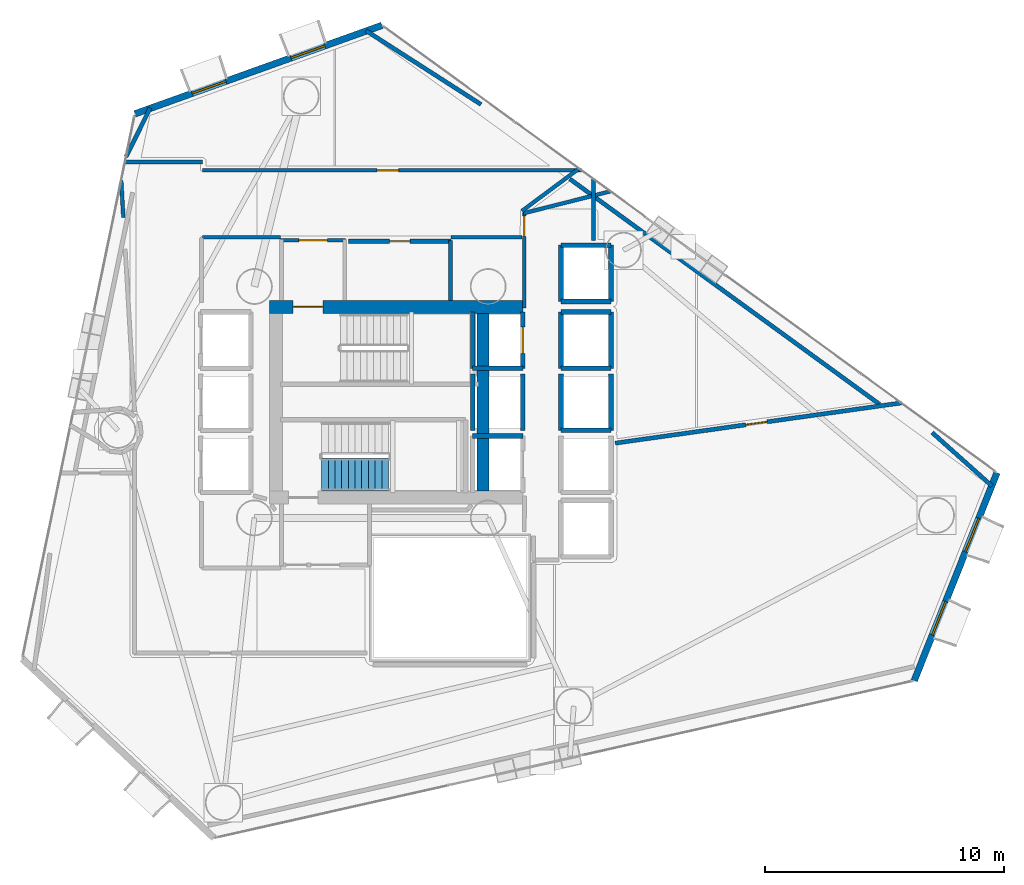
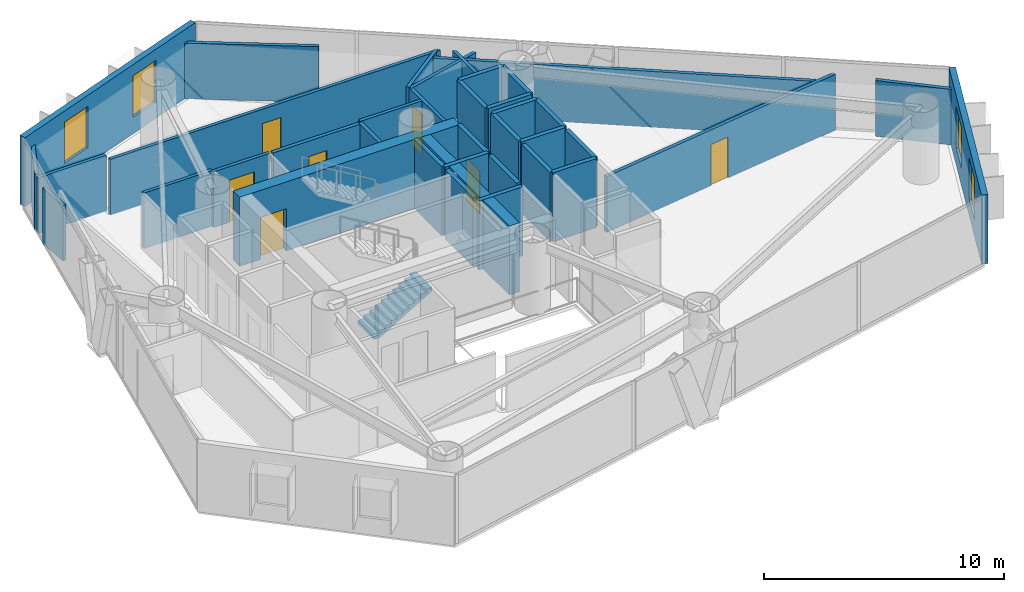
# One storey, part 14 of 18: 38 walls, 7 doors, 4 windows, 1 stair flight, 11 openings, 1 element without a shape of its own.
"""IFC4 building model written with IfcOpenShell, lengths in metres."""

from ifc_helpers import new_model, si_unit, direction, frame, frame_2d, origin, place, context, subcontext, project, spatial, polyline, rectangle, outline, extrude, material, layer, layer_set, type_object, element, fill, aggregate, save


model = new_model("IFC4")

# Units and contexts
model_context = context("Model", 3, precision=1e-05, world=origin(), true_north=direction((0.0, 1.0)))
body_context = subcontext(model_context, "Body", "Model", "MODEL_VIEW")
ifc_project = project(units=[si_unit("LENGTHUNIT", "METRE"), si_unit("AREAUNIT", "SQUARE_METRE"), si_unit("VOLUMEUNIT", "CUBIC_METRE"), si_unit("PLANEANGLEUNIT", "RADIAN"), si_unit("MASSUNIT", "GRAM", prefix="KILO")], contexts=[model_context])

# Site, building, storey
site_placement = place(None, origin())
site = spatial("IfcSite", under=ifc_project, at=site_placement, CompositionType="ELEMENT")
building_placement = place(site_placement, origin())
building = spatial("IfcBuilding", under=site, at=building_placement, Name="Qianvela Tower", CompositionType="ELEMENT")
storey_placement = place(building_placement, frame((0.0, 0.0, 97.800048828125)))
storey = spatial("IfcBuildingStorey", under=building, at=storey_placement, Name="L24", CompositionType="ELEMENT", Elevation=97.800048828125)

# Wall, openings, windows
ifc_material_1 = material(Name="Terracotta Cladding on Concrete C40", Category="masonry")
ifc_layer_1 = layer(ifc_material_1, 0.280029296875)
ifc_layer_set_1 = layer_set([ifc_layer_1], Name="Terracotta Cladding on Concrete C40")
wall_type_1 = type_object("IfcWallType", Name="TERRACOTTA-WALL-280", PredefinedType="SOLIDWALL", material=ifc_layer_set_1)
wall_1_placement = place(storey_placement, frame((56.25927734375, 17.02734375, 0.0), z_axis=(0.0, 0.0, 1.0), x_axis=(0.369797409366, 0.929112413019, 0.0)))
wall_1 = element("IfcWall", 1, at=wall_1_placement, inside=storey, type_object=wall_type_1, Name="L24 Terracotta Chamfer Facet Wall 1", PredefinedType="SOLIDWALL", context=body_context, shape_type="SweptSolid", body=[
    extrude(rectangle(XDim=9.382080078125, YDim=0.280029296875, at=frame_2d((4.69091796875, 0.0))), origin(), (0.0, 0.0, 1.0), 3.52001953125),
])
opening_1_placement = place(wall_1_placement, frame((2.064697265625, 0.0, 0.85009765625)))
opening_1 = element("IfcOpeningElement", 2, at=opening_1_placement, cuts=wall_1, Name="Opening W-02", PredefinedType="OPENING", context=body_context, shape_type="SweptSolid", body=[
    extrude(rectangle(XDim=1.5, YDim=2.10009765625, at=frame_2d((0.75, 1.050048828125))), frame((0.0, 0.14990234375, 0.0), z_axis=(0.0, -1.0, 0.0), x_axis=(1.0, 0.0, 0.0)), (0.0, 0.0, 1.0), 0.300048828125),
])
opening_2_placement = place(wall_1_placement, frame((5.8173828125, 0.0, 0.85009765625)))
opening_2 = element("IfcOpeningElement", 3, at=opening_2_placement, cuts=wall_1, Name="Opening W-02", PredefinedType="OPENING", context=body_context, shape_type="SweptSolid", body=[
    extrude(rectangle(XDim=1.5, YDim=2.10009765625, at=frame_2d((0.75, 1.050048828125))), frame((0.0, 0.14990234375, 0.0), z_axis=(0.0, -1.0, 0.0), x_axis=(1.0, 0.0, 0.0)), (0.0, 0.0, 1.0), 0.300048828125),
])
ifc_material_2 = material(Name="Thermally Broken Aluminium and Low-E Glass", Category="aluminium")
window_type = type_object("IfcWindowType", Name="WIN-TC-1500x2100", PartitioningType="DOUBLE_PANEL_VERTICAL", PredefinedType="WINDOW", material=ifc_material_2)
window_1_placement = place(opening_1_placement, origin())
window_1 = element("IfcWindow", 4, at=window_1_placement, inside=storey, type_object=window_type, Name="L24 Chamfer Facet Window 1.1", OverallHeight=2.10009765625, OverallWidth=1.5, PartitioningType="SINGLE_PANEL", PredefinedType="WINDOW", context=body_context, shape_type="SweptSolid", body=[
    extrude(rectangle(XDim=1.5, YDim=2.10009765625, at=frame_2d((0.75, 1.050048828125))), frame((0.0, 0.030029296875, 0.0), z_axis=(0.0, -1.0, 0.0), x_axis=(1.0, 0.0, 0.0)), (0.0, 0.0, 1.0), 0.06005859375),
])
fill(opening_1, window_1)
window_2_placement = place(opening_2_placement, origin())
window_2 = element("IfcWindow", 5, at=window_2_placement, inside=storey, type_object=window_type, Name="L24 Chamfer Facet Window 1.2", OverallHeight=2.10009765625, OverallWidth=1.5, PartitioningType="SINGLE_PANEL", PredefinedType="WINDOW", context=body_context, shape_type="SweptSolid", body=[
    extrude(rectangle(XDim=1.5, YDim=2.10009765625, at=frame_2d((0.75, 1.050048828125))), frame((0.0, 0.030029296875, 0.0), z_axis=(0.0, -1.0, 0.0), x_axis=(1.0, 0.0, 0.0)), (0.0, 0.0, 1.0), 0.06005859375),
])
fill(opening_2, window_2)

wall_2_placement = place(storey_placement, frame((33.948974609375, 44.497314453125, 0.0), z_axis=(0.0, 0.0, 1.0), x_axis=(-0.941433163769, -0.337199641394, 0.0)))
wall_2 = element("IfcWall", 6, at=wall_2_placement, inside=storey, type_object=wall_type_1, Name="L24 Terracotta Chamfer Facet Wall 3", PredefinedType="SOLIDWALL", context=body_context, shape_type="SweptSolid", body=[
    extrude(rectangle(XDim=10.99853515625, YDim=0.280029296875, at=frame_2d((5.499267578125, 0.0))), origin(), (0.0, 0.0, 1.0), 3.52001953125),
])
opening_3_placement = place(wall_2_placement, frame((2.549560546875, 0.0, 0.85009765625)))
opening_3 = element("IfcOpeningElement", 7, at=opening_3_placement, cuts=wall_2, Name="Opening W-02", PredefinedType="OPENING", context=body_context, shape_type="SweptSolid", body=[
    extrude(rectangle(XDim=1.5, YDim=2.10009765625, at=frame_2d((0.75, 1.050048828125))), frame((0.0, 0.14990234375, 0.0), z_axis=(0.0, -1.0, 0.0), x_axis=(1.0, 0.0, 0.0)), (0.0, 0.0, 1.0), 0.300048828125),
])
opening_4_placement = place(wall_2_placement, frame((6.94921875, 0.0, 0.85009765625)))
opening_4 = element("IfcOpeningElement", 8, at=opening_4_placement, cuts=wall_2, Name="Opening W-02", PredefinedType="OPENING", context=body_context, shape_type="SweptSolid", body=[
    extrude(rectangle(XDim=1.5, YDim=2.10009765625, at=frame_2d((0.75, 1.050048828125))), frame((0.0, 0.14990234375, 0.0), z_axis=(0.0, -1.0, 0.0), x_axis=(1.0, 0.0, 0.0)), (0.0, 0.0, 1.0), 0.300048828125),
])
window_3_placement = place(opening_3_placement, origin())
window_3 = element("IfcWindow", 9, at=window_3_placement, inside=storey, type_object=window_type, Name="L24 Chamfer Facet Window 3.1", OverallHeight=2.10009765625, OverallWidth=1.5, PartitioningType="SINGLE_PANEL", PredefinedType="WINDOW", context=body_context, shape_type="SweptSolid", body=[
    extrude(rectangle(XDim=1.5, YDim=2.10009765625, at=frame_2d((0.75, 1.050048828125))), frame((0.0, 0.030029296875, 0.0), z_axis=(0.0, -1.0, 0.0), x_axis=(1.0, 0.0, 0.0)), (0.0, 0.0, 1.0), 0.06005859375),
])
fill(opening_3, window_3)
window_4_placement = place(opening_4_placement, origin())
window_4 = element("IfcWindow", 10, at=window_4_placement, inside=storey, type_object=window_type, Name="L24 Chamfer Facet Window 3.2", OverallHeight=2.10009765625, OverallWidth=1.5, PartitioningType="SINGLE_PANEL", PredefinedType="WINDOW", context=body_context, shape_type="SweptSolid", body=[
    extrude(rectangle(XDim=1.5, YDim=2.10009765625, at=frame_2d((0.75, 1.050048828125))), frame((0.0, 0.030029296875, 0.0), z_axis=(0.0, -1.0, 0.0), x_axis=(1.0, 0.0, 0.0)), (0.0, 0.0, 1.0), 0.06005859375),
])
fill(opening_4, window_4)

# Wall, opening, door
ifc_material_3 = material(Name="Concrete C60", Category="concrete")
ifc_layer_2 = layer(ifc_material_3, 0.550048828125)
ifc_layer_set_2 = layer_set([ifc_layer_2], Name="Concrete C60")
wall_type_2 = type_object("IfcWallType", Name="WT-CORE-550", PredefinedType="SHEAR", material=ifc_layer_set_2)
wall_3_placement = place(storey_placement, frame((29.22998046875, 32.695068359375, 0.0), z_axis=(0.0, 0.0, 1.0), x_axis=(1.0, 0.0, 0.0)))
wall_3 = element("IfcWall", 11, at=wall_3_placement, inside=storey, type_object=wall_type_2, Name="L24 North Core Shear Wall", PredefinedType="SHEAR", context=body_context, shape_type="SweptSolid", body=[
    extrude(rectangle(XDim=10.6201171875, YDim=0.550048828125, at=frame_2d((5.31005859375, 0.0))), origin(), (0.0, 0.0, 1.0), 3.52001953125),
])
opening_5_placement = place(wall_3_placement, frame((0.9951171875, 0.0, 0.0)))
opening_5 = element("IfcOpeningElement", 12, at=opening_5_placement, cuts=wall_3, Name="Opening D-ST1", PredefinedType="OPENING", context=body_context, shape_type="SweptSolid", body=[
    extrude(rectangle(XDim=1.25, YDim=2.14990234375, at=frame_2d((0.625, 1.074951171875))), frame((0.0, 0.284912109375, 0.0), z_axis=(0.0, -1.0, 0.0), x_axis=(1.0, 0.0, 0.0)), (0.0, 0.0, 1.0), 0.570068359375),
])
ifc_material_4 = material(Name="Galvanised Fire Steel Q355B", Category="steel")
door_type_1 = type_object("IfcDoorType", Name="DT-STAIR-FD90", OperationType="NOTDEFINED", PredefinedType="DOOR", material=ifc_material_4)
door_1_placement = place(opening_5_placement, origin())
door_1 = element("IfcDoor", 13, at=door_1_placement, inside=storey, type_object=door_type_1, Name="L24 Stair ST-1 Exit Door", OperationType="SINGLE_SWING_RIGHT", OverallHeight=2.14990234375, OverallWidth=1.25, PredefinedType="DOOR", context=body_context, shape_type="SweptSolid", body=[
    extrude(rectangle(XDim=1.25, YDim=2.14990234375, at=frame_2d((0.625, 1.074951171875))), frame((0.0, 0.02490234375, 0.0), z_axis=(0.0, -1.0, 0.0), x_axis=(1.0, 0.0, 0.0)), (0.0, 0.0, 1.0), 0.050048828125),
])
fill(opening_5, door_1)

# Wall
wall_4_placement = place(storey_placement, frame((38.179931640625, 24.97998046875, 0.0), z_axis=(0.0, 0.0, 1.0), x_axis=(0.0, 1.0, 0.0)))
element("IfcWall", 14, at=wall_4_placement, inside=storey, type_object=wall_type_2, Name="L24 East Spine Core Shear Wall", PredefinedType="SHEAR", context=body_context, shape_type="SweptSolid", body=[
    extrude(rectangle(XDim=7.43994140625, YDim=0.5, at=frame_2d((3.719970703125, 0.0))), origin(), (0.0, 0.0, 1.0), 3.52001953125),
])

# Wall, opening, door
ifc_material_5 = material(Name="Fire-Rated Gypsum and Concrete Block", Category="concrete")
ifc_layer_3 = layer(ifc_material_5, 0.159912109375)
ifc_layer_set_3 = layer_set([ifc_layer_3], Name="Fire-Rated Gypsum and Concrete Block")
wall_type_3 = type_object("IfcWallType", Name="WT-CORR-160", PredefinedType="PARTITIONING", material=ifc_layer_set_3)
wall_5_placement = place(storey_placement, frame((29.699951171875, 35.489013671875, 0.0), z_axis=(0.0, 0.0, 1.0), x_axis=(1.0, 0.0, 0.0)))
wall_5 = element("IfcWall", 15, at=wall_5_placement, inside=storey, type_object=wall_type_3, Name="L24 Partition 3", PredefinedType="PARTITIONING", context=body_context, shape_type="SweptSolid", body=[
    extrude(rectangle(XDim=2.719970703125, YDim=0.159912109375, at=frame_2d((1.35986328125, 0.0))), origin(), (0.0, 0.0, 1.0), 2.83984375),
])
opening_6_placement = place(wall_5_placement, frame((0.760009765625, 0.0, 0.0)))
opening_6 = element("IfcOpeningElement", 16, at=opening_6_placement, cuts=wall_5, Name="Opening D-LB1", PredefinedType="OPENING", context=body_context, shape_type="SweptSolid", body=[
    extrude(rectangle(XDim=1.199951171875, YDim=2.14990234375, at=frame_2d((0.60009765625, 1.074951171875))), frame((0.0, 0.08984375, 0.0), z_axis=(0.0, -1.0, 0.0), x_axis=(1.0, 0.0, 0.0)), (0.0, 0.0, 1.0), 0.179931640625),
])
ifc_material_6 = material(Name="Glazed Fire-Rated Steel Frame", Category="steel")
door_type_2 = type_object("IfcDoorType", Name="DT-LOBBY-FD90", OperationType="NOTDEFINED", PredefinedType="DOOR", material=ifc_material_6)
door_2_placement = place(opening_6_placement, origin())
door_2 = element("IfcDoor", 17, at=door_2_placement, inside=storey, type_object=door_type_2, Name="L24 Door L24 Firefighting Lobby North to L24 Floor Corridor", OperationType="SINGLE_SWING_RIGHT", OverallHeight=2.14990234375, OverallWidth=1.199951171875, PredefinedType="DOOR", context=body_context, shape_type="SweptSolid", body=[
    extrude(rectangle(XDim=1.199951171875, YDim=2.14990234375, at=frame_2d((0.60009765625, 1.074951171875))), frame((0.0, 0.02490234375, 0.0), z_axis=(0.0, -1.0, 0.0), x_axis=(1.0, 0.0, 0.0)), (0.0, 0.0, 1.0), 0.050048828125),
])
fill(opening_6, door_2)

wall_6_placement = place(storey_placement, frame((39.910888671875, 32.639892578125, 0.0), z_axis=(0.0, 0.0, 1.0), x_axis=(0.0, 1.0, 0.0)))
wall_6 = element("IfcWall", 18, at=wall_6_placement, inside=storey, type_object=wall_type_3, Name="L24 Partition 10", PredefinedType="PARTITIONING", context=body_context, shape_type="SweptSolid", body=[
    extrude(rectangle(XDim=4.010009765625, YDim=0.159912109375, at=frame_2d((2.0048828125, 0.0))), origin(), (0.0, 0.0, 1.0), 2.83984375),
])
opening_7_placement = place(wall_6_placement, frame((3.010009765625, 0.0, 0.0)))
opening_7 = element("IfcOpeningElement", 19, at=opening_7_placement, cuts=wall_6, Name="Opening D-LB2", PredefinedType="OPENING", context=body_context, shape_type="SweptSolid", body=[
    extrude(rectangle(XDim=0.860107421875, YDim=2.050048828125, at=frame_2d((0.43017578125, 1.02490234375))), frame((0.0, 0.08984375, 0.0), z_axis=(0.0, -1.0, 0.0), x_axis=(1.0, 0.0, 0.0)), (0.0, 0.0, 1.0), 0.179931640625),
])
ifc_material_7 = material(Name="Insulated Steel Fire Door Q355B", Category="steel")
door_type_3 = type_object("IfcDoorType", Name="DT-LOBBY-FD90-860", OperationType="NOTDEFINED", PredefinedType="DOOR", material=ifc_material_7)
door_3_placement = place(opening_7_placement, origin())
door_3 = element("IfcDoor", 20, at=door_3_placement, inside=storey, type_object=door_type_3, Name="L24 Door L24 Lift Lobby to L24 Floor Corridor", OperationType="SINGLE_SWING_LEFT", OverallHeight=2.050048828125, OverallWidth=0.860107421875, PredefinedType="DOOR", context=body_context, shape_type="SweptSolid", body=[
    extrude(rectangle(XDim=0.860107421875, YDim=2.050048828125, at=frame_2d((0.43017578125, 1.02490234375))), frame((0.0, 0.02490234375, 0.0), z_axis=(0.0, -1.0, 0.0), x_axis=(1.0, 0.0, 0.0)), (0.0, 0.0, 1.0), 0.050048828125),
])
fill(opening_7, door_3)

# Walls
wall_7_placement = place(storey_placement, frame((39.8798828125, 36.618896484375, 0.0), z_axis=(0.0, 0.0, 1.0), x_axis=(0.969604227455, 0.244678650687, 0.0)))
element("IfcWall", 21, at=wall_7_placement, inside=storey, type_object=wall_type_3, Name="L24 Partition 11", PredefinedType="PARTITIONING", context=body_context, shape_type="SweptSolid", body=[
    extrude(rectangle(XDim=3.751708984375, YDim=0.159912109375, at=frame_2d((1.8759765625, 0.0))), origin(), (0.0, 0.0, 1.0), 2.83984375),
])
wall_8_placement = place(storey_placement, frame((42.819091796875, 38.06494140625, 0.0), z_axis=(0.0, 0.0, 1.0), x_axis=(0.0, -1.0, 0.0)))
element("IfcWall", 22, at=wall_8_placement, inside=storey, type_object=wall_type_3, Name="L24 Partition 12", PredefinedType="PARTITIONING", context=body_context, shape_type="SweptSolid", body=[
    extrude(rectangle(XDim=2.5849609375, YDim=0.159912109375, at=frame_2d((1.29248046875, 0.0))), origin(), (0.0, 0.0, 1.0), 2.83984375),
])
wall_9_placement = place(storey_placement, frame((23.156982421875, 38.76904296875, 0.0), z_axis=(0.0, 0.0, 1.0), x_axis=(1.0, 0.0, 0.0)))
element("IfcWall", 23, at=wall_9_placement, inside=storey, type_object=wall_type_3, Name="L24 Partition 38", PredefinedType="PARTITIONING", context=body_context, shape_type="SweptSolid", body=[
    extrude(rectangle(XDim=3.262939453125, YDim=0.159912109375, at=frame_2d((1.63134765625, 0.0))), origin(), (0.0, 0.0, 1.0), 2.83984375),
])

# Wall, opening, door
wall_10_placement = place(storey_placement, frame((26.419921875, 38.4189453125, 0.0), z_axis=(0.0, 0.0, 1.0), x_axis=(1.0, 0.0, 0.0)))
wall_10 = element("IfcWall", 24, at=wall_10_placement, inside=storey, type_object=wall_type_3, Name="L24 Partition 39", PredefinedType="PARTITIONING", context=body_context, shape_type="SweptSolid", body=[
    extrude(rectangle(XDim=15.905029296875, YDim=0.159912109375, at=frame_2d((7.95263671875, 0.0))), origin(), (0.0, 0.0, 1.0), 2.83984375),
])
opening_8_placement = place(wall_10_placement, frame((7.323486328125, 0.0, 0.0)))
opening_8 = element("IfcOpeningElement", 25, at=opening_8_placement, cuts=wall_10, Name="Opening D-KT1", PredefinedType="OPENING", context=body_context, shape_type="SweptSolid", body=[
    extrude(rectangle(XDim=0.89990234375, YDim=2.10009765625, at=frame_2d((0.449951171875, 1.050048828125))), frame((0.0, 0.08984375, 0.0), z_axis=(0.0, -1.0, 0.0), x_axis=(1.0, 0.0, 0.0)), (0.0, 0.0, 1.0), 0.179931640625),
])
ifc_material_8 = material(Name="Glazed Timber Kitchen Door", Category="wood")
door_type_4 = type_object("IfcDoorType", Name="DT-KITCH-900", OperationType="NOTDEFINED", PredefinedType="DOOR", material=ifc_material_8)
door_4_placement = place(opening_8_placement, origin())
door_4 = element("IfcDoor", 26, at=door_4_placement, inside=storey, type_object=door_type_4, Name="L24 Door Student Tea Pantry L24-02 to L24 Floor Corridor", OperationType="SINGLE_SWING_LEFT", OverallHeight=2.10009765625, OverallWidth=0.89990234375, PredefinedType="DOOR", context=body_context, shape_type="SweptSolid", body=[
    extrude(rectangle(XDim=0.89990234375, YDim=2.10009765625, at=frame_2d((0.449951171875, 1.050048828125))), frame((0.0, 0.02490234375, 0.0), z_axis=(0.0, -1.0, 0.0), x_axis=(1.0, 0.0, 0.0)), (0.0, 0.0, 1.0), 0.050048828125),
])
fill(opening_8, door_4)

# Walls
wall_11_placement = place(storey_placement, frame((42.221923828125, 38.5029296875, 0.0), z_axis=(0.0, 0.0, 1.0), x_axis=(-0.80276499598, -0.596295531787, 0.0)))
element("IfcWall", 27, at=wall_11_placement, inside=storey, type_object=wall_type_3, Name="L24 Partition 40", PredefinedType="PARTITIONING", context=body_context, shape_type="SweptSolid", body=[
    extrude(rectangle(XDim=3.0, YDim=0.159912109375, at=frame_2d((1.5, 0.0))), origin(), (0.0, 0.0, 1.0), 2.83984375),
])
wall_12_placement = place(storey_placement, frame((39.818115234375, 35.611083984375, 0.0), z_axis=(0.0, 0.0, 1.0), x_axis=(-1.0, 0.0, 0.0)))
element("IfcWall", 28, at=wall_12_placement, inside=storey, type_object=wall_type_3, Name="L24 Partition 42 seg 1", PredefinedType="PARTITIONING", context=body_context, shape_type="SweptSolid", body=[
    extrude(rectangle(XDim=2.968017578125, YDim=0.159912109375, at=frame_2d((1.48388671875, 0.0))), origin(), (0.0, 0.0, 1.0), 2.83984375),
])
wall_13_placement = place(storey_placement, frame((29.699951171875, 35.611083984375, 0.0), z_axis=(0.0, 0.0, 1.0), x_axis=(-1.0, 0.0, 0.0)))
element("IfcWall", 29, at=wall_13_placement, inside=storey, type_object=wall_type_3, Name="L24 Partition 42 seg 3", PredefinedType="PARTITIONING", context=body_context, shape_type="SweptSolid", body=[
    extrude(rectangle(XDim=3.280029296875, YDim=0.159912109375, at=frame_2d((1.64013671875, 0.0))), origin(), (0.0, 0.0, 1.0), 2.83984375),
])
wall_14_placement = place(storey_placement, frame((23.10791015625, 36.4423828125, 0.0), z_axis=(0.0, 0.0, 1.0), x_axis=(-0.057959830366, 0.99831891601, 0.0)))
element("IfcWall", 30, at=wall_14_placement, inside=storey, type_object=wall_type_3, Name="L24 Partition 36 trim 1", PredefinedType="PARTITIONING", context=body_context, shape_type="SweptSolid", body=[
    extrude(rectangle(XDim=1.55859375, YDim=0.159912109375, at=frame_2d((0.779296875, 0.0))), origin(), (0.0, 0.0, 1.0), 2.83984375),
])

# Wall, opening, door
ifc_material_9 = material(Name="Moisture-Resistant Acoustic Plumbing Wall")
ifc_layer_4 = layer(ifc_material_9, 0.175048828125)
ifc_layer_set_4 = layer_set([ifc_layer_4], Name="Moisture-Resistant Acoustic Plumbing Wall")
wall_type_4 = type_object("IfcWallType", Name="WT-PLUMB-175", PredefinedType="PLUMBINGWALL", material=ifc_layer_set_4)
wall_15_placement = place(storey_placement, frame((32.550048828125, 35.448974609375, 0.0), z_axis=(0.0, 0.0, 1.0), x_axis=(1.0, 0.0, 0.0)))
wall_15 = element("IfcWall", 31, at=wall_15_placement, inside=storey, type_object=wall_type_4, Name="L24 Partition 20", PredefinedType="PLUMBINGWALL", context=body_context, shape_type="SweptSolid", body=[
    extrude(rectangle(XDim=4.300048828125, YDim=0.175048828125, at=frame_2d((2.14990234375, 0.0))), origin(), (0.0, 0.0, 1.0), 2.83984375),
])
opening_9_placement = place(wall_15_placement, frame((1.719970703125, 0.0, 0.0)))
opening_9 = element("IfcOpeningElement", 32, at=opening_9_placement, cuts=wall_15, Name="Opening D-WC1", PredefinedType="OPENING", context=body_context, shape_type="SweptSolid", body=[
    extrude(rectangle(XDim=0.860107421875, YDim=2.050048828125, at=frame_2d((0.43017578125, 1.02490234375))), frame((0.0, 0.097412109375, 0.0), z_axis=(0.0, -1.0, 0.0), x_axis=(1.0, 0.0, 0.0)), (0.0, 0.0, 1.0), 0.195068359375),
])
ifc_material_10 = material(Name="Moisture-Sealed Acoustic Timber Door", Category="wood")
door_type_5 = type_object("IfcDoorType", Name="DT-WC-860", OperationType="NOTDEFINED", PredefinedType="DOOR", material=ifc_material_10)
door_5_placement = place(opening_9_placement, origin())
door_5 = element("IfcDoor", 33, at=door_5_placement, inside=storey, type_object=door_type_5, Name="L24 Door L24 Accessible WC to L24 Floor Corridor", OperationType="SINGLE_SWING_RIGHT", OverallHeight=2.050048828125, OverallWidth=0.860107421875, PredefinedType="DOOR", context=body_context, shape_type="SweptSolid", body=[
    extrude(rectangle(XDim=0.860107421875, YDim=2.050048828125, at=frame_2d((0.43017578125, 1.02490234375))), frame((0.0, 0.02490234375, 0.0), z_axis=(0.0, -1.0, 0.0), x_axis=(1.0, 0.0, 0.0)), (0.0, 0.0, 1.0), 0.050048828125),
])
fill(opening_9, door_5)

# Walls
wall_16_placement = place(storey_placement, frame((36.819091796875, 35.47998046875, 0.0), z_axis=(0.0, 0.0, 1.0), x_axis=(0.0, -1.0, 0.0)))
element("IfcWall", 34, at=wall_16_placement, inside=storey, type_object=wall_type_4, Name="L24 Partition 21", PredefinedType="PLUMBINGWALL", context=body_context, shape_type="SweptSolid", body=[
    extrude(rectangle(XDim=2.52197265625, YDim=0.175048828125, at=frame_2d((1.260986328125, 0.0))), origin(), (0.0, 0.0, 1.0), 2.83984375),
])
wall_17_placement = place(storey_placement, frame((57.0126953125, 27.42333984375, 0.0), z_axis=(0.0, 0.0, 1.0), x_axis=(0.745955668906, -0.665995600606, 0.0)))
element("IfcWall", 35, at=wall_17_placement, inside=storey, type_object=wall_type_4, Name="L24 Partition 51 seg 1", PredefinedType="PLUMBINGWALL", context=body_context, shape_type="SweptSolid", body=[
    extrude(rectangle(XDim=3.36767578125, YDim=0.175048828125, at=frame_2d((1.683837890625, 0.0))), origin(), (0.0, 0.0, 1.0), 2.83984375),
])

# Wall, opening, door
wall_18_placement = place(storey_placement, frame((43.724365234375, 26.98291015625, 0.0), z_axis=(0.0, 0.0, 1.0), x_axis=(0.990269113944, 0.139165663755, 0.0)))
wall_18 = element("IfcWall", 36, at=wall_18_placement, inside=storey, type_object=wall_type_4, Name="L24 Partition 66", PredefinedType="PLUMBINGWALL", context=body_context, shape_type="SweptSolid", body=[
    extrude(rectangle(XDim=12.1240234375, YDim=0.175048828125, at=frame_2d((6.06201171875, 0.0))), origin(), (0.0, 0.0, 1.0), 2.83984375),
])
opening_10_placement = place(wall_18_placement, frame((5.53369140625, 0.0, 0.0)))
opening_10 = element("IfcOpeningElement", 37, at=opening_10_placement, cuts=wall_18, Name="Opening D-KT1", PredefinedType="OPENING", context=body_context, shape_type="SweptSolid", body=[
    extrude(rectangle(XDim=0.89990234375, YDim=2.10009765625, at=frame_2d((0.449951171875, 1.050048828125))), frame((0.0, 0.097412109375, 0.0), z_axis=(0.0, -1.0, 0.0), x_axis=(1.0, 0.0, 0.0)), (0.0, 0.0, 1.0), 0.195068359375),
])
door_6_placement = place(opening_10_placement, origin())
door_6 = element("IfcDoor", 38, at=door_6_placement, inside=storey, type_object=door_type_4, Name="L24 Door Social Galley Kitchen L24-04 to Shared Communal Kitchen L24-01", OperationType="SINGLE_SWING_LEFT", OverallHeight=2.10009765625, OverallWidth=0.89990234375, PredefinedType="DOOR", context=body_context, shape_type="SweptSolid", body=[
    extrude(rectangle(XDim=0.89990234375, YDim=2.10009765625, at=frame_2d((0.449951171875, 1.050048828125))), frame((0.0, 0.02490234375, 0.0), z_axis=(0.0, -1.0, 0.0), x_axis=(1.0, 0.0, 0.0)), (0.0, 0.0, 1.0), 0.050048828125),
])
fill(opening_10, door_6)

# Walls
wall_19_placement = place(storey_placement, frame((23.22265625, 38.990234375, 0.0), z_axis=(0.0, 0.0, 1.0), x_axis=(0.443099956325, 0.896472213013, 0.0)))
element("IfcWall", 39, at=wall_19_placement, inside=storey, type_object=wall_type_4, Name="L24 Partition 68", PredefinedType="PLUMBINGWALL", context=body_context, shape_type="SweptSolid", body=[
    extrude(rectangle(XDim=2.28173828125, YDim=0.175048828125, at=frame_2d((1.140869140625, 0.0))), origin(), (0.0, 0.0, 1.0), 2.83984375),
])
wall_20_placement = place(storey_placement, frame((33.276611328125, 44.274169921875, 0.0), z_axis=(0.0, 0.0, 1.0), x_axis=(0.841777372598, -0.539824837314, 0.0)))
element("IfcWall", 40, at=wall_20_placement, inside=storey, type_object=wall_type_4, Name="L24 Partition 70 seg 1", PredefinedType="PLUMBINGWALL", context=body_context, shape_type="SweptSolid", body=[
    extrude(rectangle(XDim=5.730224609375, YDim=0.175048828125, at=frame_2d((2.865234375, 0.0))), origin(), (0.0, 0.0, 1.0), 2.83984375),
])
wall_21_placement = place(storey_placement, frame((41.820068359375, 38.059326171875, 0.0), z_axis=(0.0, 0.0, 1.0), x_axis=(0.808676260011, -0.588253947284, 0.0)))
element("IfcWall", 41, at=wall_21_placement, inside=storey, type_object=wall_type_4, Name="L24 Partition 91", PredefinedType="PLUMBINGWALL", context=body_context, shape_type="SweptSolid", body=[
    extrude(rectangle(XDim=16.060302734375, YDim=0.175048828125, at=frame_2d((8.0302734375, 0.0))), origin(), (0.0, 0.0, 1.0), 2.83984375),
])

# Wall, opening, door
ifc_material_11 = material(Name="Concrete C50", Category="concrete")
ifc_layer_5 = layer(ifc_material_11, 0.199951171875)
ifc_layer_set_5 = layer_set([ifc_layer_5], Name="Concrete C50")
wall_type_5 = type_object("IfcWallType", Name="WT-SHAFT-200", PredefinedType="SOLIDWALL", material=ifc_layer_set_5)
wall_22_placement = place(storey_placement, frame((39.85009765625, 30.1201171875, 0.0), z_axis=(0.0, 0.0, 1.0), x_axis=(0.0, 1.0, 0.0)))
wall_22 = element("IfcWall", 42, at=wall_22_placement, inside=storey, type_object=wall_type_5, Name="L24 Lift FL-1 E Shaft Wall", PredefinedType="SOLIDWALL", context=body_context, shape_type="SweptSolid", body=[
    extrude(rectangle(XDim=2.35986328125, YDim=0.199951171875, at=frame_2d((1.179931640625, 0.0))), origin(), (0.0, 0.0, 1.0), 3.52001953125),
])
opening_11_placement = place(wall_22_placement, frame((0.6298828125, 0.0, 0.0)))
opening_11 = element("IfcOpeningElement", 43, at=opening_11_placement, cuts=wall_22, Name="Opening LD-01", PredefinedType="OPENING", context=body_context, shape_type="SweptSolid", body=[
    extrude(rectangle(XDim=1.10009765625, YDim=2.14990234375, at=frame_2d((0.550048828125, 1.074951171875))), frame((0.0, 0.10986328125, 0.0), z_axis=(0.0, -1.0, 0.0), x_axis=(1.0, 0.0, 0.0)), (0.0, 0.0, 1.0), 0.219970703125),
])
ifc_material_12 = material(Name="Brushed Stainless Steel Lift Landing Door", Category="steel")
door_type_6 = type_object("IfcDoorType", Name="DT-LIFT-SLIDE-1100", OperationType="SLIDING_TO_LEFT", PredefinedType="DOOR", material=ifc_material_12)
door_7_placement = place(opening_11_placement, origin())
door_7 = element("IfcDoor", 44, at=door_7_placement, inside=storey, type_object=door_type_6, Name="L24 Lift FL-1 Sliding Landing Door", OperationType="SLIDING_TO_LEFT", OverallHeight=2.14990234375, OverallWidth=1.10009765625, PredefinedType="DOOR", context=body_context, shape_type="SweptSolid", body=[
    extrude(rectangle(XDim=1.10009765625, YDim=2.14990234375, at=frame_2d((0.550048828125, 1.074951171875))), frame((0.0, 0.02490234375, 0.0), z_axis=(0.0, -1.0, 0.0), x_axis=(1.0, 0.0, 0.0)), (0.0, 0.0, 1.0), 0.050048828125),
])
fill(opening_11, door_7)

# Walls
wall_23_placement = place(storey_placement, frame((37.75, 30.1201171875, 0.0), z_axis=(0.0, 0.0, 1.0), x_axis=(0.0, 1.0, 0.0)))
element("IfcWall", 45, at=wall_23_placement, inside=storey, type_object=wall_type_5, Name="L24 Lift FL-1 W Shaft Wall", PredefinedType="SOLIDWALL", context=body_context, shape_type="SweptSolid", body=[
    extrude(rectangle(XDim=2.35986328125, YDim=0.199951171875, at=frame_2d((1.179931640625, 0.0))), origin(), (0.0, 0.0, 1.0), 3.52001953125),
])
for number, where, z_axis, x_axis, name in (
    (46, (37.75, 30.1201171875, 0.0), (0.0, 0.0, 1.0), (1.0, 0.0, 0.0), "L24 Lift FL-1 S Shaft Wall"),
    (47, (37.75, 27.280029296875, 0.0), (0.0, 0.0, 1.0), (1.0, 0.0, 0.0), "L24 Lift FL-2 N Shaft Wall"),
):
    element("IfcWall", number, at=place(storey_placement, frame(where, z_axis=z_axis, x_axis=x_axis)), inside=storey, type_object=wall_type_5, Name=name, PredefinedType="SOLIDWALL", context=body_context, shape_type="SweptSolid", body=[
        extrude(rectangle(XDim=2.10009765625, YDim=0.199951171875, at=frame_2d((1.050048828125, 0.0))), origin(), (0.0, 0.0, 1.0), 3.52001953125),
    ])
for number, where, z_axis, x_axis, name in (
    (48, (43.550048828125, 30.1201171875, 0.0), (0.0, 0.0, 1.0), (0.0, 1.0, 0.0), "L24 Lift PL-M1 E Shaft Wall"),
    (49, (41.449951171875, 30.1201171875, 0.0), (0.0, 0.0, 1.0), (0.0, 1.0, 0.0), "L24 Lift PL-M1 W Shaft Wall"),
):
    element("IfcWall", number, at=place(storey_placement, frame(where, z_axis=z_axis, x_axis=x_axis)), inside=storey, type_object=wall_type_5, Name=name, PredefinedType="SOLIDWALL", context=body_context, shape_type="SweptSolid", body=[
        extrude(rectangle(XDim=2.35986328125, YDim=0.199951171875, at=frame_2d((1.179931640625, 0.0))), origin(), (0.0, 0.0, 1.0), 3.52001953125),
    ])
for number, where, z_axis, x_axis, name in (
    (50, (41.449951171875, 32.47998046875, 0.0), (0.0, 0.0, 1.0), (1.0, 0.0, 0.0), "L24 Lift PL-M1 N Shaft Wall"),
    (51, (41.449951171875, 30.1201171875, 0.0), (0.0, 0.0, 1.0), (1.0, 0.0, 0.0), "L24 Lift PL-M1 S Shaft Wall"),
):
    element("IfcWall", number, at=place(storey_placement, frame(where, z_axis=z_axis, x_axis=x_axis)), inside=storey, type_object=wall_type_5, Name=name, PredefinedType="SOLIDWALL", context=body_context, shape_type="SweptSolid", body=[
        extrude(rectangle(XDim=2.10009765625, YDim=0.199951171875, at=frame_2d((1.050048828125, 0.0))), origin(), (0.0, 0.0, 1.0), 3.52001953125),
    ])
for number, where, z_axis, x_axis, name in (
    (52, (43.550048828125, 27.52001953125, 0.0), (0.0, 0.0, 1.0), (0.0, 1.0, 0.0), "L24 Lift PL-M2 E Shaft Wall"),
    (53, (41.449951171875, 27.52001953125, 0.0), (0.0, 0.0, 1.0), (0.0, 1.0, 0.0), "L24 Lift PL-M2 W Shaft Wall"),
):
    element("IfcWall", number, at=place(storey_placement, frame(where, z_axis=z_axis, x_axis=x_axis)), inside=storey, type_object=wall_type_5, Name=name, PredefinedType="SOLIDWALL", context=body_context, shape_type="SweptSolid", body=[
        extrude(rectangle(XDim=2.35986328125, YDim=0.199951171875, at=frame_2d((1.179931640625, 0.0))), origin(), (0.0, 0.0, 1.0), 3.52001953125),
    ])
wall_24_placement = place(storey_placement, frame((41.449951171875, 27.52001953125, 0.0), z_axis=(0.0, 0.0, 1.0), x_axis=(1.0, 0.0, 0.0)))
element("IfcWall", 54, at=wall_24_placement, inside=storey, type_object=wall_type_5, Name="L24 Lift PL-M2 S Shaft Wall", PredefinedType="SOLIDWALL", context=body_context, shape_type="SweptSolid", body=[
    extrude(rectangle(XDim=2.10009765625, YDim=0.199951171875, at=frame_2d((1.050048828125, 0.0))), origin(), (0.0, 0.0, 1.0), 3.52001953125),
])
for number, where, z_axis, x_axis, name in (
    (55, (39.85009765625, 27.52001953125, 0.0), (0.0, 0.0, 1.0), (0.0, 1.0, 0.0), "L24 Lift PL-H1 E Shaft Wall"),
    (56, (37.75, 27.52001953125, 0.0), (0.0, 0.0, 1.0), (0.0, 1.0, 0.0), "L24 Lift PL-H1 W Shaft Wall"),
):
    element("IfcWall", number, at=place(storey_placement, frame(where, z_axis=z_axis, x_axis=x_axis)), inside=storey, type_object=wall_type_5, Name=name, PredefinedType="SOLIDWALL", context=body_context, shape_type="SweptSolid", body=[
        extrude(rectangle(XDim=2.35986328125, YDim=0.199951171875, at=frame_2d((1.179931640625, 0.0))), origin(), (0.0, 0.0, 1.0), 3.52001953125),
    ])
for number, where, z_axis, x_axis, name in (
    (57, (43.550048828125, 32.919921875, 0.0), (0.0, 0.0, 1.0), (0.0, 1.0, 0.0), "L24 Lift PL-H3 E Shaft Wall"),
    (58, (41.449951171875, 32.919921875, 0.0), (0.0, 0.0, 1.0), (0.0, 1.0, 0.0), "L24 Lift PL-H3 W Shaft Wall"),
):
    element("IfcWall", number, at=place(storey_placement, frame(where, z_axis=z_axis, x_axis=x_axis)), inside=storey, type_object=wall_type_5, Name=name, PredefinedType="SOLIDWALL", context=body_context, shape_type="SweptSolid", body=[
        extrude(rectangle(XDim=2.360107421875, YDim=0.199951171875, at=frame_2d((1.18017578125, 0.0))), origin(), (0.0, 0.0, 1.0), 3.52001953125),
    ])
for number, where, z_axis, x_axis, name in (
    (59, (41.449951171875, 35.280029296875, 0.0), (0.0, 0.0, 1.0), (1.0, 0.0, 0.0), "L24 Lift PL-H3 N Shaft Wall"),
    (60, (41.449951171875, 32.919921875, 0.0), (0.0, 0.0, 1.0), (1.0, 0.0, 0.0), "L24 Lift PL-H3 S Shaft Wall"),
):
    element("IfcWall", number, at=place(storey_placement, frame(where, z_axis=z_axis, x_axis=x_axis)), inside=storey, type_object=wall_type_5, Name=name, PredefinedType="SOLIDWALL", context=body_context, shape_type="SweptSolid", body=[
        extrude(rectangle(XDim=2.10009765625, YDim=0.199951171875, at=frame_2d((1.050048828125, 0.0))), origin(), (0.0, 0.0, 1.0), 3.52001953125),
    ])

# Stair, stair flight
ifc_material_13 = material(Name="Concrete C40", Category="concrete")
stair_type = type_object("IfcStairType", Name="ST-DOGLEG-1350-R168-N22", PredefinedType="HALF_TURN_STAIR", material=ifc_material_13)
stair_placement = place(storey_placement, origin())
stair = element("IfcStair", 61, at=stair_placement, inside=storey, type_object=stair_type, Name="L24 Smoke-Proof Core Stair ST-2", PredefinedType="HALF_TURN_STAIR")
ifc_material_14 = material(Name="Concrete C40", Category="concrete")
stair_flight_type = type_object("IfcStairFlightType", Name="STF-STRAIGHT-R168-P11", PredefinedType="STRAIGHT", material=ifc_material_14)
stair_flight_placement = place(storey_placement, frame((31.419921875, 25.675048828125, 0.0), z_axis=(0.0, 0.0, 1.0), x_axis=(1.0, 0.0, 0.0)))
stair_flight = element("IfcStairFlight", 62, at=stair_flight_placement, type_object=stair_flight_type, Name="ST-2 flight 1", NumberOfRisers=11, NumberOfTreads=10, PredefinedType="STRAIGHT", RiserHeight=0.168181818, TreadLength=0.28, context=body_context, shape_type="SweptSolid", body=[
    extrude(outline(polyline([(0.0, 0.0), (0.0, 0.168212890625), (0.280029296875, 0.168212890625), (0.280029296875, 0.33642578125), (0.56005859375, 0.33642578125), (0.56005859375, 0.504638671875), (0.840087890625, 0.504638671875), (0.840087890625, 0.672607421875), (1.1201171875, 0.672607421875), (1.1201171875, 0.8408203125), (1.39990234375, 0.8408203125), (1.39990234375, 1.009033203125), (1.679931640625, 1.009033203125), (1.679931640625, 1.17724609375), (1.9599609375, 1.17724609375), (1.9599609375, 1.345458984375), (2.239990234375, 1.345458984375), (2.239990234375, 1.513671875), (2.52001953125, 1.513671875), (2.52001953125, 1.681884765625), (2.800048828125, 1.681884765625), (2.800048828125, 1.85009765625), (2.800048828125, 1.5068359375), (0.291015625, 0.0), (0.0, 0.0)])), frame((0.0, 0.675048828125, 0.0), z_axis=(0.0, -1.0, 0.0), x_axis=(1.0, 0.0, 0.0)), (0.0, 0.0, 1.0), 1.35009765625),
])
aggregate(stair, [stair_flight])

save(model, "model.ifc")
